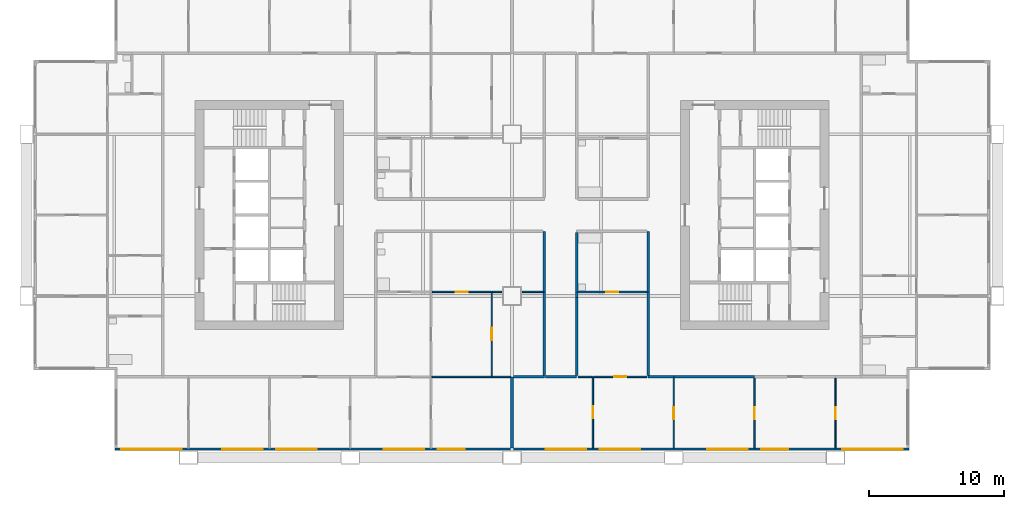
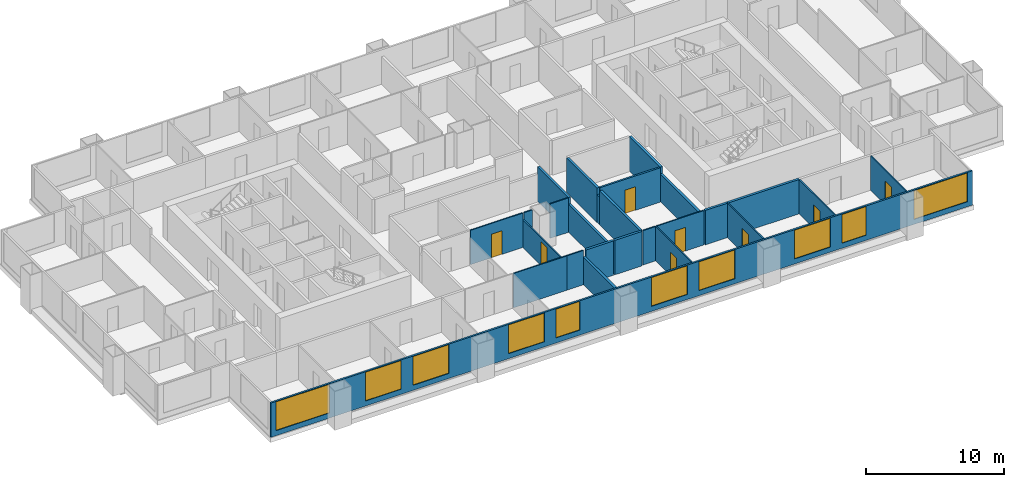
# One storey, part 5 of 11: 26 walls, 10 windows, 8 doors, 18 openings.
"""IFC4 building model written with IfcOpenShell, lengths in metres."""

from ifc_helpers import new_model, si_unit, direction, frame, frame_2d, origin, place, context, subcontext, project, spatial, rectangle, extrude, material, layer, layer_set, type_object, element, fill, save


model = new_model("IFC4")

# Units and contexts
model_context = context("Model", 3, precision=1e-05, world=origin(), true_north=direction((0.0, 1.0)))
body_context = subcontext(model_context, "Body", "Model", "MODEL_VIEW")
ifc_project = project(units=[si_unit("LENGTHUNIT", "METRE"), si_unit("AREAUNIT", "SQUARE_METRE"), si_unit("VOLUMEUNIT", "CUBIC_METRE"), si_unit("PLANEANGLEUNIT", "RADIAN"), si_unit("MASSUNIT", "GRAM", prefix="KILO")], contexts=[model_context])

# Site, building, storey
site_placement = place(None, origin())
site = spatial("IfcSite", under=ifc_project, at=site_placement, CompositionType="ELEMENT")
building_placement = place(site_placement, origin())
building = spatial("IfcBuilding", under=site, at=building_placement, Name="Kitamizu Gate Tower and Museum", CompositionType="ELEMENT")
storey_placement = place(building_placement, frame((0.0, 0.0, 127.64990234375)))
storey = spatial("IfcBuildingStorey", under=building, at=storey_placement, Name="L33", CompositionType="ELEMENT", Elevation=127.64990234375)

# Walls
ifc_material_1 = material(Name="Gypsum board on galvanised stud")
ifc_layer_1 = layer(ifc_material_1, 0.10009765625)
ifc_layer_set_1 = layer_set([ifc_layer_1], Name="Gypsum board on galvanised stud")
wall_type_1 = type_object("IfcWallType", Name="Partition 100 NOT RATED", PredefinedType="PARTITIONING", material=ifc_layer_set_1)
wall_1_placement = place(storey_placement, frame((34.5, 18.0, 0.0), z_axis=(0.0, 0.0, 1.0), x_axis=(-1.0, 0.0, 0.0)))
element("IfcWall", 1, at=wall_1_placement, inside=storey, type_object=wall_type_1, Name="Partition L33-011", PredefinedType="PARTITIONING", context=body_context, shape_type="SweptSolid", body=[
    extrude(rectangle(XDim=4.449951171875, YDim=0.10009765625, at=frame_2d((2.22509765625, 0.0))), origin(), (0.0, 0.0, 1.0), 3.050048828125),
])
wall_2_placement = place(storey_placement, frame((35.89990234375, 18.0, 0.0), z_axis=(0.0, 0.0, 1.0), x_axis=(-1.0, 0.0, 0.0)))
element("IfcWall", 2, at=wall_2_placement, inside=storey, type_object=wall_type_1, Name="Partition L33-012", PredefinedType="PARTITIONING", context=body_context, shape_type="SweptSolid", body=[
    extrude(rectangle(XDim=1.39990234375, YDim=0.10009765625, at=frame_2d((0.699951171875, 0.0))), origin(), (0.0, 0.0, 1.0), 3.050048828125),
])

# Wall, opening, door
wall_3_placement = place(storey_placement, frame((34.5, 18.050048828125, 0.0), z_axis=(0.0, 0.0, 1.0), x_axis=(0.0, 1.0, 0.0)))
wall_3 = element("IfcWall", 3, at=wall_3_placement, inside=storey, type_object=wall_type_1, Name="Partition L33-018", PredefinedType="PARTITIONING", context=body_context, shape_type="SweptSolid", body=[
    extrude(rectangle(XDim=6.25, YDim=0.10009765625, at=frame_2d((3.125, 0.0))), origin(), (0.0, 0.0, 1.0), 2.4501953125),
])
opening_1_placement = place(wall_3_placement, frame((2.675048828125, 0.0, 0.0)))
opening_1 = element("IfcOpeningElement", 4, at=opening_1_placement, cuts=wall_3, Name="Opening L33-009", PredefinedType="OPENING", context=body_context, shape_type="SweptSolid", body=[
    extrude(rectangle(XDim=0.89990234375, YDim=2.10009765625, at=frame_2d((0.449951171875, 1.050048828125))), frame((0.0, 0.06005859375, 0.0), z_axis=(0.0, -1.0, 0.0), x_axis=(1.0, 0.0, 0.0)), (0.0, 0.0, 1.0), 0.1201171875),
])
ifc_material_2 = material(Name="Timber door set", Category="wood")
door_type_1 = type_object("IfcDoorType", Name="Room door 900", OperationType="NOTDEFINED", PredefinedType="DOOR", material=ifc_material_2)
door_1_placement = place(opening_1_placement, frame((0.89990234375, 0.0, 0.0), x_axis=(-1.0, 0.0, 0.0)))
door_1 = element("IfcDoor", 5, at=door_1_placement, inside=storey, type_object=door_type_1, Name="Door L33-009", OperationType="SINGLE_SWING_LEFT", OverallHeight=2.10009765625, OverallWidth=0.89990234375, PredefinedType="DOOR", context=body_context, shape_type="SweptSolid", body=[
    extrude(rectangle(XDim=0.89990234375, YDim=2.10009765625, at=frame_2d((0.449951171875, 1.050048828125))), frame((0.0, 0.02490234375, 0.0), z_axis=(0.0, -1.0, 0.0), x_axis=(1.0, 0.0, 0.0)), (0.0, 0.0, 1.0), 0.050048828125),
])
fill(opening_1, door_1)

wall_4_placement = place(storey_placement, frame((34.449951171875, 24.300048828125, 0.0), z_axis=(0.0, 0.0, 1.0), x_axis=(-1.0, 0.0, 0.0)))
wall_4 = element("IfcWall", 6, at=wall_4_placement, inside=storey, type_object=wall_type_1, Name="Partition L33-019", PredefinedType="PARTITIONING", context=body_context, shape_type="SweptSolid", body=[
    extrude(rectangle(XDim=4.375, YDim=0.10009765625, at=frame_2d((2.1875, 0.0))), origin(), (0.0, 0.0, 1.0), 3.050048828125),
])
opening_2_placement = place(wall_4_placement, frame((1.737548828125, 0.0, 0.0)))
opening_2 = element("IfcOpeningElement", 7, at=opening_2_placement, cuts=wall_4, Name="Opening L33-010", PredefinedType="OPENING", context=body_context, shape_type="SweptSolid", body=[
    extrude(rectangle(XDim=0.89990234375, YDim=2.10009765625, at=frame_2d((0.449951171875, 1.050048828125))), frame((0.0, 0.06005859375, 0.0), z_axis=(0.0, -1.0, 0.0), x_axis=(1.0, 0.0, 0.0)), (0.0, 0.0, 1.0), 0.1201171875),
])
door_2_placement = place(opening_2_placement, origin())
door_2 = element("IfcDoor", 8, at=door_2_placement, inside=storey, type_object=door_type_1, Name="Door L33-010", OperationType="SINGLE_SWING_LEFT", OverallHeight=2.10009765625, OverallWidth=0.89990234375, PredefinedType="DOOR", context=body_context, shape_type="SweptSolid", body=[
    extrude(rectangle(XDim=0.89990234375, YDim=2.10009765625, at=frame_2d((0.449951171875, 1.050048828125))), frame((0.0, 0.02490234375, 0.0), z_axis=(0.0, -1.0, 0.0), x_axis=(1.0, 0.0, 0.0)), (0.0, 0.0, 1.0), 0.050048828125),
])
fill(opening_2, door_2)

# Walls
wall_5_placement = place(storey_placement, frame((35.25, 24.300048828125, 0.0), z_axis=(0.0, 0.0, 1.0), x_axis=(-1.0, 0.0, 0.0)))
element("IfcWall", 9, at=wall_5_placement, inside=storey, type_object=wall_type_1, Name="Partition L33-020", PredefinedType="PARTITIONING", context=body_context, shape_type="SweptSolid", body=[
    extrude(rectangle(XDim=0.699951171875, YDim=0.10009765625, at=frame_2d((0.35009765625, 0.0))), origin(), (0.0, 0.0, 1.0), 3.050048828125),
])
wall_6_placement = place(storey_placement, frame((38.300048828125, 24.300048828125, 0.0), z_axis=(0.0, 0.0, 1.0), x_axis=(-1.0, 0.0, 0.0)))
element("IfcWall", 10, at=wall_6_placement, inside=storey, type_object=wall_type_1, Name="Partition L33-021", PredefinedType="PARTITIONING", context=body_context, shape_type="SweptSolid", body=[
    extrude(rectangle(XDim=1.550048828125, YDim=0.10009765625, at=frame_2d((0.77490234375, 0.0))), origin(), (0.0, 0.0, 1.0), 3.050048828125),
])

# Wall, opening, door
wall_7_placement = place(storey_placement, frame((42.0, 12.719970703125, 0.0), z_axis=(0.0, 0.0, 1.0), x_axis=(0.0, 1.0, 0.0)))
wall_7 = element("IfcWall", 11, at=wall_7_placement, inside=storey, type_object=wall_type_1, Name="Partition L33-030", PredefinedType="PARTITIONING", context=body_context, shape_type="SweptSolid", body=[
    extrude(rectangle(XDim=5.280029296875, YDim=0.10009765625, at=frame_2d((2.64013671875, 0.0))), origin(), (0.0, 0.0, 1.0), 3.050048828125),
])
opening_3_placement = place(wall_7_placement, frame((2.18994140625, 0.0, 0.0)))
opening_3 = element("IfcOpeningElement", 12, at=opening_3_placement, cuts=wall_7, Name="Opening L33-017", PredefinedType="OPENING", context=body_context, shape_type="SweptSolid", body=[
    extrude(rectangle(XDim=0.89990234375, YDim=2.10009765625, at=frame_2d((0.449951171875, 1.050048828125))), frame((0.0, 0.06005859375, 0.0), z_axis=(0.0, -1.0, 0.0), x_axis=(1.0, 0.0, 0.0)), (0.0, 0.0, 1.0), 0.1201171875),
])
door_3_placement = place(opening_3_placement, origin())
door_3 = element("IfcDoor", 13, at=door_3_placement, inside=storey, type_object=door_type_1, Name="Door L33-017", OperationType="SINGLE_SWING_RIGHT", OverallHeight=2.10009765625, OverallWidth=0.89990234375, PredefinedType="DOOR", context=body_context, shape_type="SweptSolid", body=[
    extrude(rectangle(XDim=0.89990234375, YDim=2.10009765625, at=frame_2d((0.449951171875, 1.050048828125))), frame((0.0, 0.02490234375, 0.0), z_axis=(0.0, -1.0, 0.0), x_axis=(1.0, 0.0, 0.0)), (0.0, 0.0, 1.0), 0.050048828125),
])
fill(opening_3, door_3)

# Wall
wall_8_placement = place(storey_placement, frame((41.949951171875, 18.0, 0.0), z_axis=(0.0, 0.0, 1.0), x_axis=(-1.0, 0.0, 0.0)))
element("IfcWall", 14, at=wall_8_placement, inside=storey, type_object=wall_type_1, Name="Partition L33-031", PredefinedType="PARTITIONING", context=body_context, shape_type="SweptSolid", body=[
    extrude(rectangle(XDim=1.050048828125, YDim=0.10009765625, at=frame_2d((0.52490234375, 0.0))), origin(), (0.0, 0.0, 1.0), 3.050048828125),
])

# Wall, opening, door
wall_9_placement = place(storey_placement, frame((48.0, 12.719970703125, 0.0), z_axis=(0.0, 0.0, 1.0), x_axis=(0.0, 1.0, 0.0)))
wall_9 = element("IfcWall", 15, at=wall_9_placement, inside=storey, type_object=wall_type_1, Name="Partition L33-033", PredefinedType="PARTITIONING", context=body_context, shape_type="SweptSolid", body=[
    extrude(rectangle(XDim=5.179931640625, YDim=0.10009765625, at=frame_2d((2.58984375, 0.0))), origin(), (0.0, 0.0, 1.0), 3.050048828125),
])
opening_4_placement = place(wall_9_placement, frame((2.139892578125, 0.0, 0.0)))
opening_4 = element("IfcOpeningElement", 16, at=opening_4_placement, cuts=wall_9, Name="Opening L33-014", PredefinedType="OPENING", context=body_context, shape_type="SweptSolid", body=[
    extrude(rectangle(XDim=0.89990234375, YDim=2.10009765625, at=frame_2d((0.449951171875, 1.050048828125))), frame((0.0, 0.06005859375, 0.0), z_axis=(0.0, -1.0, 0.0), x_axis=(1.0, 0.0, 0.0)), (0.0, 0.0, 1.0), 0.1201171875),
])
door_4_placement = place(opening_4_placement, origin())
door_4 = element("IfcDoor", 17, at=door_4_placement, inside=storey, type_object=door_type_1, Name="Door L33-014", OperationType="SINGLE_SWING_LEFT", OverallHeight=2.10009765625, OverallWidth=0.89990234375, PredefinedType="DOOR", context=body_context, shape_type="SweptSolid", body=[
    extrude(rectangle(XDim=0.89990234375, YDim=2.10009765625, at=frame_2d((0.449951171875, 1.050048828125))), frame((0.0, 0.02490234375, 0.0), z_axis=(0.0, -1.0, 0.0), x_axis=(1.0, 0.0, 0.0)), (0.0, 0.0, 1.0), 0.050048828125),
])
fill(opening_4, door_4)

wall_10_placement = place(storey_placement, frame((46.0, 18.0, 0.0), z_axis=(0.0, 0.0, 1.0), x_axis=(-1.0, 0.0, 0.0)))
wall_10 = element("IfcWall", 18, at=wall_10_placement, inside=storey, type_object=wall_type_1, Name="Partition L33-034", PredefinedType="PARTITIONING", context=body_context, shape_type="SweptSolid", body=[
    extrude(rectangle(XDim=3.949951171875, YDim=0.10009765625, at=frame_2d((1.97509765625, 0.0))), origin(), (0.0, 0.0, 1.0), 3.050048828125),
])
opening_5_placement = place(wall_10_placement, frame((1.52490234375, 0.0, 0.0)))
opening_5 = element("IfcOpeningElement", 19, at=opening_5_placement, cuts=wall_10, Name="Opening L33-015", PredefinedType="OPENING", context=body_context, shape_type="SweptSolid", body=[
    extrude(rectangle(XDim=0.89990234375, YDim=2.10009765625, at=frame_2d((0.449951171875, 1.050048828125))), frame((0.0, 0.06005859375, 0.0), z_axis=(0.0, -1.0, 0.0), x_axis=(1.0, 0.0, 0.0)), (0.0, 0.0, 1.0), 0.1201171875),
])
door_5_placement = place(opening_5_placement, origin())
door_5 = element("IfcDoor", 20, at=door_5_placement, inside=storey, type_object=door_type_1, Name="Door L33-015", OperationType="SINGLE_SWING_RIGHT", OverallHeight=2.10009765625, OverallWidth=0.89990234375, PredefinedType="DOOR", context=body_context, shape_type="SweptSolid", body=[
    extrude(rectangle(XDim=0.89990234375, YDim=2.10009765625, at=frame_2d((0.449951171875, 1.050048828125))), frame((0.0, 0.02490234375, 0.0), z_axis=(0.0, -1.0, 0.0), x_axis=(1.0, 0.0, 0.0)), (0.0, 0.0, 1.0), 0.050048828125),
])
fill(opening_5, door_5)

wall_11_placement = place(storey_placement, frame((54.0, 12.719970703125, 0.0), z_axis=(0.0, 0.0, 1.0), x_axis=(0.0, 1.0, 0.0)))
wall_11 = element("IfcWall", 21, at=wall_11_placement, inside=storey, type_object=wall_type_1, Name="Partition L33-036", PredefinedType="PARTITIONING", context=body_context, shape_type="SweptSolid", body=[
    extrude(rectangle(XDim=5.179931640625, YDim=0.10009765625, at=frame_2d((2.58984375, 0.0))), origin(), (0.0, 0.0, 1.0), 3.050048828125),
])
opening_6_placement = place(wall_11_placement, frame((2.139892578125, 0.0, 0.0)))
opening_6 = element("IfcOpeningElement", 22, at=opening_6_placement, cuts=wall_11, Name="Opening L33-012", PredefinedType="OPENING", context=body_context, shape_type="SweptSolid", body=[
    extrude(rectangle(XDim=0.89990234375, YDim=2.10009765625, at=frame_2d((0.449951171875, 1.050048828125))), frame((0.0, 0.06005859375, 0.0), z_axis=(0.0, -1.0, 0.0), x_axis=(1.0, 0.0, 0.0)), (0.0, 0.0, 1.0), 0.1201171875),
])
door_6_placement = place(opening_6_placement, origin())
door_6 = element("IfcDoor", 23, at=door_6_placement, inside=storey, type_object=door_type_1, Name="Door L33-012", OperationType="SINGLE_SWING_LEFT", OverallHeight=2.10009765625, OverallWidth=0.89990234375, PredefinedType="DOOR", context=body_context, shape_type="SweptSolid", body=[
    extrude(rectangle(XDim=0.89990234375, YDim=2.10009765625, at=frame_2d((0.449951171875, 1.050048828125))), frame((0.0, 0.02490234375, 0.0), z_axis=(0.0, -1.0, 0.0), x_axis=(1.0, 0.0, 0.0)), (0.0, 0.0, 1.0), 0.050048828125),
])
fill(opening_6, door_6)

wall_12_placement = place(storey_placement, frame((60.0, 12.719970703125, 0.0), z_axis=(0.0, 0.0, 1.0), x_axis=(0.0, 1.0, 0.0)))
wall_12 = element("IfcWall", 24, at=wall_12_placement, inside=storey, type_object=wall_type_1, Name="Partition L33-038", PredefinedType="PARTITIONING", context=body_context, shape_type="SweptSolid", body=[
    extrude(rectangle(XDim=5.179931640625, YDim=0.10009765625, at=frame_2d((2.58984375, 0.0))), origin(), (0.0, 0.0, 1.0), 3.050048828125),
])
opening_7_placement = place(wall_12_placement, frame((2.139892578125, 0.0, 0.0)))
opening_7 = element("IfcOpeningElement", 25, at=opening_7_placement, cuts=wall_12, Name="Opening L33-013", PredefinedType="OPENING", context=body_context, shape_type="SweptSolid", body=[
    extrude(rectangle(XDim=0.89990234375, YDim=2.10009765625, at=frame_2d((0.449951171875, 1.050048828125))), frame((0.0, 0.06005859375, 0.0), z_axis=(0.0, -1.0, 0.0), x_axis=(1.0, 0.0, 0.0)), (0.0, 0.0, 1.0), 0.1201171875),
])
door_7_placement = place(opening_7_placement, frame((0.89990234375, 0.0, 0.0), x_axis=(-1.0, 0.0, 0.0)))
door_7 = element("IfcDoor", 26, at=door_7_placement, inside=storey, type_object=door_type_1, Name="Door L33-013", OperationType="SINGLE_SWING_LEFT", OverallHeight=2.10009765625, OverallWidth=0.89990234375, PredefinedType="DOOR", context=body_context, shape_type="SweptSolid", body=[
    extrude(rectangle(XDim=0.89990234375, YDim=2.10009765625, at=frame_2d((0.449951171875, 1.050048828125))), frame((0.0, 0.02490234375, 0.0), z_axis=(0.0, -1.0, 0.0), x_axis=(1.0, 0.0, 0.0)), (0.0, 0.0, 1.0), 0.050048828125),
])
fill(opening_7, door_7)

ifc_material_3 = material(Name="Gypsum board on galvanised stud")
ifc_layer_2 = layer(ifc_material_3, 0.14990234375)
ifc_layer_set_2 = layer_set([ifc_layer_2], Name="Gypsum board on galvanised stud")
wall_type_2 = type_object("IfcWallType", Name="Partition 150", PredefinedType="PARTITIONING", material=ifc_layer_set_2)
wall_13_placement = place(storey_placement, frame((46.0, 24.300048828125, 0.0), z_axis=(0.0, 0.0, 1.0), x_axis=(-1.0, 0.0, 0.0)))
wall_13 = element("IfcWall", 27, at=wall_13_placement, inside=storey, type_object=wall_type_2, Name="Partition L33-042", PredefinedType="PARTITIONING", context=body_context, shape_type="SweptSolid", body=[
    extrude(rectangle(XDim=5.10009765625, YDim=0.14990234375, at=frame_2d((2.550048828125, 0.0))), origin(), (0.0, 0.0, 1.0), 3.050048828125),
])
opening_8_placement = place(wall_13_placement, frame((2.10009765625, 0.0, 0.0)))
opening_8 = element("IfcOpeningElement", 28, at=opening_8_placement, cuts=wall_13, Name="Opening L33-016", PredefinedType="OPENING", context=body_context, shape_type="SweptSolid", body=[
    extrude(rectangle(XDim=0.89990234375, YDim=2.10009765625, at=frame_2d((0.449951171875, 1.050048828125))), frame((0.0, 0.0849609375, 0.0), z_axis=(0.0, -1.0, 0.0), x_axis=(1.0, 0.0, 0.0)), (0.0, 0.0, 1.0), 0.169921875),
])
ifc_material_4 = material(Name="Timber door set", Category="wood")
door_type_2 = type_object("IfcDoorType", Name="Bathroom door 900", OperationType="NOTDEFINED", PredefinedType="DOOR", material=ifc_material_4)
door_8_placement = place(opening_8_placement, frame((0.89990234375, 0.0, 0.0), x_axis=(-1.0, 0.0, 0.0)))
door_8 = element("IfcDoor", 29, at=door_8_placement, inside=storey, type_object=door_type_2, Name="Bathroom door L33-016", OperationType="SINGLE_SWING_RIGHT", OverallHeight=2.10009765625, OverallWidth=0.89990234375, PredefinedType="DOOR", context=body_context, shape_type="SweptSolid", body=[
    extrude(rectangle(XDim=0.89990234375, YDim=2.10009765625, at=frame_2d((0.449951171875, 1.050048828125))), frame((0.0, 0.02490234375, 0.0), z_axis=(0.0, -1.0, 0.0), x_axis=(1.0, 0.0, 0.0)), (0.0, 0.0, 1.0), 0.050048828125),
])
fill(opening_8, door_8)

# Walls
ifc_material_5 = material(Name="Gypsum board on galvanised stud")
ifc_layer_3 = layer(ifc_material_5, 0.199951171875)
ifc_layer_set_3 = layer_set([ifc_layer_3], Name="Gypsum board on galvanised stud")
wall_type_3 = type_object("IfcWallType", Name="Partition 200", PredefinedType="PARTITIONING", material=ifc_layer_set_3)
wall_14_placement = place(storey_placement, frame((36.0, 12.719970703125, 0.0), z_axis=(0.0, 0.0, 1.0), x_axis=(0.0, 1.0, 0.0)))
element("IfcWall", 30, at=wall_14_placement, inside=storey, type_object=wall_type_3, Name="Partition L33-013", PredefinedType="PARTITIONING", context=body_context, shape_type="SweptSolid", body=[
    extrude(rectangle(XDim=5.280029296875, YDim=0.199951171875, at=frame_2d((2.64013671875, 0.0))), origin(), (0.0, 0.0, 1.0), 2.4501953125),
])
wall_15_placement = place(storey_placement, frame((36.10009765625, 18.0, 0.0), z_axis=(0.0, 0.0, 1.0), x_axis=(1.0, 0.0, 0.0)))
element("IfcWall", 31, at=wall_15_placement, inside=storey, type_object=wall_type_3, Name="Partition L33-022", PredefinedType="PARTITIONING", context=body_context, shape_type="SweptSolid", body=[
    extrude(rectangle(XDim=2.2998046875, YDim=0.199951171875, at=frame_2d((1.14990234375, 0.0))), origin(), (0.0, 0.0, 1.0), 3.050048828125),
])
wall_16_placement = place(storey_placement, frame((38.39990234375, 18.10009765625, 0.0), z_axis=(0.0, 0.0, 1.0), x_axis=(0.0, 1.0, 0.0)))
element("IfcWall", 32, at=wall_16_placement, inside=storey, type_object=wall_type_3, Name="Partition L33-023", PredefinedType="PARTITIONING", context=body_context, shape_type="SweptSolid", body=[
    extrude(rectangle(XDim=6.199951171875, YDim=0.199951171875, at=frame_2d((3.10009765625, 0.0))), origin(), (0.0, 0.0, 1.0), 2.4501953125),
])
wall_17_placement = place(storey_placement, frame((38.39990234375, 24.300048828125, 0.0), z_axis=(0.0, 0.0, 1.0), x_axis=(0.0, 1.0, 0.0)))
element("IfcWall", 33, at=wall_17_placement, inside=storey, type_object=wall_type_3, Name="Partition L33-027", PredefinedType="PARTITIONING", context=body_context, shape_type="SweptSolid", body=[
    extrude(rectangle(XDim=4.5, YDim=0.199951171875, at=frame_2d((2.25, 0.0))), origin(), (0.0, 0.0, 1.0), 3.050048828125),
])
wall_18_placement = place(storey_placement, frame((40.800048828125, 18.0, 0.0), z_axis=(0.0, 0.0, 1.0), x_axis=(-1.0, 0.0, 0.0)))
element("IfcWall", 34, at=wall_18_placement, inside=storey, type_object=wall_type_3, Name="Partition L33-032", PredefinedType="PARTITIONING", context=body_context, shape_type="SweptSolid", body=[
    extrude(rectangle(XDim=2.300048828125, YDim=0.199951171875, at=frame_2d((1.14990234375, 0.0))), origin(), (0.0, 0.0, 1.0), 3.050048828125),
])
wall_19_placement = place(storey_placement, frame((48.0, 18.0, 0.0), z_axis=(0.0, 0.0, 1.0), x_axis=(-1.0, 0.0, 0.0)))
element("IfcWall", 35, at=wall_19_placement, inside=storey, type_object=wall_type_3, Name="Partition L33-035", PredefinedType="PARTITIONING", context=body_context, shape_type="SweptSolid", body=[
    extrude(rectangle(XDim=1.89990234375, YDim=0.199951171875, at=frame_2d((0.949951171875, 0.0))), origin(), (0.0, 0.0, 1.0), 3.050048828125),
])
wall_20_placement = place(storey_placement, frame((54.0, 18.0, 0.0), z_axis=(0.0, 0.0, 1.0), x_axis=(-1.0, 0.0, 0.0)))
element("IfcWall", 36, at=wall_20_placement, inside=storey, type_object=wall_type_3, Name="Partition L33-037", PredefinedType="PARTITIONING", context=body_context, shape_type="SweptSolid", body=[
    extrude(rectangle(XDim=6.0, YDim=0.199951171875, at=frame_2d((3.0, 0.0))), origin(), (0.0, 0.0, 1.0), 3.050048828125),
])
wall_21_placement = place(storey_placement, frame((40.800048828125, 24.300048828125, 0.0), z_axis=(0.0, 0.0, 1.0), x_axis=(0.0, -1.0, 0.0)))
element("IfcWall", 37, at=wall_21_placement, inside=storey, type_object=wall_type_3, Name="Partition L33-043", PredefinedType="PARTITIONING", context=body_context, shape_type="SweptSolid", body=[
    extrude(rectangle(XDim=0.400146484375, YDim=0.199951171875, at=frame_2d((0.2001953125, 0.0))), origin(), (0.0, 0.0, 1.0), 2.4501953125),
])
wall_22_placement = place(storey_placement, frame((40.800048828125, 23.89990234375, 0.0), z_axis=(0.0, 0.0, 1.0), x_axis=(0.0, -1.0, 0.0)))
element("IfcWall", 38, at=wall_22_placement, inside=storey, type_object=wall_type_3, Name="Partition L33-044", PredefinedType="PARTITIONING", context=body_context, shape_type="SweptSolid", body=[
    extrude(rectangle(XDim=5.7998046875, YDim=0.199951171875, at=frame_2d((2.89990234375, 0.0))), origin(), (0.0, 0.0, 1.0), 3.050048828125),
])
wall_23_placement = place(storey_placement, frame((46.10009765625, 18.10009765625, 0.0), z_axis=(0.0, 0.0, 1.0), x_axis=(0.0, 1.0, 0.0)))
element("IfcWall", 39, at=wall_23_placement, inside=storey, type_object=wall_type_3, Name="Partition L33-045", PredefinedType="PARTITIONING", context=body_context, shape_type="SweptSolid", body=[
    extrude(rectangle(XDim=6.199951171875, YDim=0.199951171875, at=frame_2d((3.10009765625, 0.0))), origin(), (0.0, 0.0, 1.0), 2.4501953125),
])
wall_24_placement = place(storey_placement, frame((46.10009765625, 24.300048828125, 0.0), z_axis=(0.0, 0.0, 1.0), x_axis=(0.0, 1.0, 0.0)))
element("IfcWall", 40, at=wall_24_placement, inside=storey, type_object=wall_type_3, Name="Partition L33-046", PredefinedType="PARTITIONING", context=body_context, shape_type="SweptSolid", body=[
    extrude(rectangle(XDim=4.5, YDim=0.199951171875, at=frame_2d((2.25, 0.0))), origin(), (0.0, 0.0, 1.0), 3.050048828125),
])
wall_25_placement = place(storey_placement, frame((40.800048828125, 28.699951171875, 0.0), z_axis=(0.0, 0.0, 1.0), x_axis=(0.0, -1.0, 0.0)))
element("IfcWall", 41, at=wall_25_placement, inside=storey, type_object=wall_type_3, Name="Partition L33-048", PredefinedType="PARTITIONING", context=body_context, shape_type="SweptSolid", body=[
    extrude(rectangle(XDim=4.39990234375, YDim=0.199951171875, at=frame_2d((2.199951171875, 0.0))), origin(), (0.0, 0.0, 1.0), 3.050048828125),
])

# Wall, openings, windows
ifc_material_6 = material(Name="Bronze anodised aluminium frame with insulated spandrel and tinted glass", Category="aluminium")
ifc_layer_4 = layer(ifc_material_6, 0.14990234375)
ifc_layer_set_4 = layer_set([ifc_layer_4], Name="Bronze anodised aluminium frame with insulated spandrel and tinted glass")
wall_type_4 = type_object("IfcWallType", Name="WINDOW WALL 150 BRONZE FRAME EI 30", PredefinedType="ELEMENTEDWALL", material=ifc_layer_set_4)
wall_26_placement = place(storey_placement, frame((6.56005859375, 12.635009765625, 0.0), z_axis=(0.0, 0.0, 1.0), x_axis=(1.0, 0.0, 0.0)))
wall_26 = element("IfcWall", 42, at=wall_26_placement, inside=storey, type_object=wall_type_4, Name="Window wall south L33", PredefinedType="ELEMENTEDWALL", context=body_context, shape_type="SweptSolid", body=[
    extrude(rectangle(XDim=58.8798828125, YDim=0.14990234375, at=frame_2d((29.43994140625, 0.0))), origin(), (0.0, 0.0, 1.0), 3.050048828125),
])
opening_9_placement = place(wall_26_placement, frame((0.43994140625, 0.0, 0.449951171875)))
opening_9 = element("IfcOpeningElement", 43, at=opening_9_placement, cuts=wall_26, Name="Opening W15", PredefinedType="OPENING", context=body_context, shape_type="SweptSolid", body=[
    extrude(rectangle(XDim=4.5, YDim=2.550048828125, at=frame_2d((2.25, 1.27490234375))), frame((0.0, 0.0849609375, 0.0), z_axis=(0.0, -1.0, 0.0), x_axis=(1.0, 0.0, 0.0)), (0.0, 0.0, 1.0), 0.169921875),
])
opening_10_placement = place(wall_26_placement, frame((7.93994140625, 0.0, 0.449951171875)))
opening_10 = element("IfcOpeningElement", 44, at=opening_10_placement, cuts=wall_26, Name="Opening W33", PredefinedType="OPENING", context=body_context, shape_type="SweptSolid", body=[
    extrude(rectangle(XDim=3.0, YDim=2.550048828125, at=frame_2d((1.5, 1.27490234375))), frame((0.0, 0.0849609375, 0.0), z_axis=(0.0, -1.0, 0.0), x_axis=(1.0, 0.0, 0.0)), (0.0, 0.0, 1.0), 0.169921875),
])
opening_11_placement = place(wall_26_placement, frame((11.93994140625, 0.0, 0.449951171875)))
opening_11 = element("IfcOpeningElement", 45, at=opening_11_placement, cuts=wall_26, Name="Opening W33", PredefinedType="OPENING", context=body_context, shape_type="SweptSolid", body=[
    extrude(rectangle(XDim=3.0, YDim=2.550048828125, at=frame_2d((1.5, 1.27490234375))), frame((0.0, 0.0849609375, 0.0), z_axis=(0.0, -1.0, 0.0), x_axis=(1.0, 0.0, 0.0)), (0.0, 0.0, 1.0), 0.169921875),
])
opening_12_placement = place(wall_26_placement, frame((19.93994140625, 0.0, 0.449951171875)))
opening_12 = element("IfcOpeningElement", 46, at=opening_12_placement, cuts=wall_26, Name="Opening W33", PredefinedType="OPENING", context=body_context, shape_type="SweptSolid", body=[
    extrude(rectangle(XDim=3.0, YDim=2.550048828125, at=frame_2d((1.5, 1.27490234375))), frame((0.0, 0.0849609375, 0.0), z_axis=(0.0, -1.0, 0.0), x_axis=(1.0, 0.0, 0.0)), (0.0, 0.0, 1.0), 0.169921875),
])
opening_13_placement = place(wall_26_placement, frame((23.93994140625, 0.0, 0.449951171875)))
opening_13 = element("IfcOpeningElement", 47, at=opening_13_placement, cuts=wall_26, Name="Opening W2", PredefinedType="OPENING", context=body_context, shape_type="SweptSolid", body=[
    extrude(rectangle(XDim=2.0, YDim=2.550048828125, at=frame_2d((1.0, 1.27490234375))), frame((0.0, 0.0849609375, 0.0), z_axis=(0.0, -1.0, 0.0), x_axis=(1.0, 0.0, 0.0)), (0.0, 0.0, 1.0), 0.169921875),
])
opening_14_placement = place(wall_26_placement, frame((31.93994140625, 0.0, 0.449951171875)))
opening_14 = element("IfcOpeningElement", 48, at=opening_14_placement, cuts=wall_26, Name="Opening W33", PredefinedType="OPENING", context=body_context, shape_type="SweptSolid", body=[
    extrude(rectangle(XDim=3.0, YDim=2.550048828125, at=frame_2d((1.5, 1.27490234375))), frame((0.0, 0.0849609375, 0.0), z_axis=(0.0, -1.0, 0.0), x_axis=(1.0, 0.0, 0.0)), (0.0, 0.0, 1.0), 0.169921875),
])
opening_15_placement = place(wall_26_placement, frame((35.93994140625, 0.0, 0.449951171875)))
opening_15 = element("IfcOpeningElement", 49, at=opening_15_placement, cuts=wall_26, Name="Opening W33", PredefinedType="OPENING", context=body_context, shape_type="SweptSolid", body=[
    extrude(rectangle(XDim=3.0, YDim=2.550048828125, at=frame_2d((1.5, 1.27490234375))), frame((0.0, 0.0849609375, 0.0), z_axis=(0.0, -1.0, 0.0), x_axis=(1.0, 0.0, 0.0)), (0.0, 0.0, 1.0), 0.169921875),
])
opening_16_placement = place(wall_26_placement, frame((43.93994140625, 0.0, 0.449951171875)))
opening_16 = element("IfcOpeningElement", 50, at=opening_16_placement, cuts=wall_26, Name="Opening W33", PredefinedType="OPENING", context=body_context, shape_type="SweptSolid", body=[
    extrude(rectangle(XDim=3.0, YDim=2.550048828125, at=frame_2d((1.5, 1.27490234375))), frame((0.0, 0.0849609375, 0.0), z_axis=(0.0, -1.0, 0.0), x_axis=(1.0, 0.0, 0.0)), (0.0, 0.0, 1.0), 0.169921875),
])
opening_17_placement = place(wall_26_placement, frame((47.93994140625, 0.0, 0.449951171875)))
opening_17 = element("IfcOpeningElement", 51, at=opening_17_placement, cuts=wall_26, Name="Opening W2", PredefinedType="OPENING", context=body_context, shape_type="SweptSolid", body=[
    extrude(rectangle(XDim=2.0, YDim=2.550048828125, at=frame_2d((1.0, 1.27490234375))), frame((0.0, 0.0849609375, 0.0), z_axis=(0.0, -1.0, 0.0), x_axis=(1.0, 0.0, 0.0)), (0.0, 0.0, 1.0), 0.169921875),
])
opening_18_placement = place(wall_26_placement, frame((53.93994140625, 0.0, 0.449951171875)))
opening_18 = element("IfcOpeningElement", 52, at=opening_18_placement, cuts=wall_26, Name="Opening W15", PredefinedType="OPENING", context=body_context, shape_type="SweptSolid", body=[
    extrude(rectangle(XDim=4.5, YDim=2.550048828125, at=frame_2d((2.25, 1.27490234375))), frame((0.0, 0.0849609375, 0.0), z_axis=(0.0, -1.0, 0.0), x_axis=(1.0, 0.0, 0.0)), (0.0, 0.0, 1.0), 0.169921875),
])
ifc_material_7 = material(Name="Bronze anodised aluminium frame, tinted triple glazing", Category="aluminium")
window_type_1 = type_object("IfcWindowType", Name="WINDOW 2000 x 2550 SILL 450", PartitioningType="SINGLE_PANEL", PredefinedType="WINDOW", material=ifc_material_7)
window_1_placement = place(opening_13_placement, origin())
window_1 = element("IfcWindow", 53, at=window_1_placement, inside=storey, type_object=window_type_1, Name="Window W2 L33", OverallHeight=2.550048828125, OverallWidth=2.0, PartitioningType="SINGLE_PANEL", PredefinedType="WINDOW", context=body_context, shape_type="SweptSolid", body=[
    extrude(rectangle(XDim=2.0, YDim=2.550048828125, at=frame_2d((1.0, 1.27490234375))), frame((0.0, 0.030029296875, 0.0), z_axis=(0.0, -1.0, 0.0), x_axis=(1.0, 0.0, 0.0)), (0.0, 0.0, 1.0), 0.06005859375),
])
fill(opening_13, window_1)
window_2_placement = place(opening_17_placement, origin())
window_2 = element("IfcWindow", 54, at=window_2_placement, inside=storey, type_object=window_type_1, Name="Window W2 L33", OverallHeight=2.550048828125, OverallWidth=2.0, PartitioningType="SINGLE_PANEL", PredefinedType="WINDOW", context=body_context, shape_type="SweptSolid", body=[
    extrude(rectangle(XDim=2.0, YDim=2.550048828125, at=frame_2d((1.0, 1.27490234375))), frame((0.0, 0.030029296875, 0.0), z_axis=(0.0, -1.0, 0.0), x_axis=(1.0, 0.0, 0.0)), (0.0, 0.0, 1.0), 0.06005859375),
])
fill(opening_17, window_2)
ifc_material_8 = material(Name="Bronze anodised aluminium frame, tinted triple glazing", Category="aluminium")
window_type_2 = type_object("IfcWindowType", Name="WINDOW 3000 x 2550 SILL 450", PartitioningType="SINGLE_PANEL", PredefinedType="WINDOW", material=ifc_material_8)
window_3_placement = place(opening_10_placement, origin())
window_3 = element("IfcWindow", 55, at=window_3_placement, inside=storey, type_object=window_type_2, Name="Window W33 L33", OverallHeight=2.550048828125, OverallWidth=3.0, PartitioningType="SINGLE_PANEL", PredefinedType="WINDOW", context=body_context, shape_type="SweptSolid", body=[
    extrude(rectangle(XDim=3.0, YDim=2.550048828125, at=frame_2d((1.5, 1.27490234375))), frame((0.0, 0.030029296875, 0.0), z_axis=(0.0, -1.0, 0.0), x_axis=(1.0, 0.0, 0.0)), (0.0, 0.0, 1.0), 0.06005859375),
])
fill(opening_10, window_3)
window_4_placement = place(opening_11_placement, origin())
window_4 = element("IfcWindow", 56, at=window_4_placement, inside=storey, type_object=window_type_2, Name="Window W33 L33", OverallHeight=2.550048828125, OverallWidth=3.0, PartitioningType="SINGLE_PANEL", PredefinedType="WINDOW", context=body_context, shape_type="SweptSolid", body=[
    extrude(rectangle(XDim=3.0, YDim=2.550048828125, at=frame_2d((1.5, 1.27490234375))), frame((0.0, 0.030029296875, 0.0), z_axis=(0.0, -1.0, 0.0), x_axis=(1.0, 0.0, 0.0)), (0.0, 0.0, 1.0), 0.06005859375),
])
fill(opening_11, window_4)
window_5_placement = place(opening_12_placement, origin())
window_5 = element("IfcWindow", 57, at=window_5_placement, inside=storey, type_object=window_type_2, Name="Window W33 L33", OverallHeight=2.550048828125, OverallWidth=3.0, PartitioningType="SINGLE_PANEL", PredefinedType="WINDOW", context=body_context, shape_type="SweptSolid", body=[
    extrude(rectangle(XDim=3.0, YDim=2.550048828125, at=frame_2d((1.5, 1.27490234375))), frame((0.0, 0.030029296875, 0.0), z_axis=(0.0, -1.0, 0.0), x_axis=(1.0, 0.0, 0.0)), (0.0, 0.0, 1.0), 0.06005859375),
])
fill(opening_12, window_5)
window_6_placement = place(opening_14_placement, origin())
window_6 = element("IfcWindow", 58, at=window_6_placement, inside=storey, type_object=window_type_2, Name="Window W33 L33", OverallHeight=2.550048828125, OverallWidth=3.0, PartitioningType="SINGLE_PANEL", PredefinedType="WINDOW", context=body_context, shape_type="SweptSolid", body=[
    extrude(rectangle(XDim=3.0, YDim=2.550048828125, at=frame_2d((1.5, 1.27490234375))), frame((0.0, 0.030029296875, 0.0), z_axis=(0.0, -1.0, 0.0), x_axis=(1.0, 0.0, 0.0)), (0.0, 0.0, 1.0), 0.06005859375),
])
fill(opening_14, window_6)
window_7_placement = place(opening_15_placement, origin())
window_7 = element("IfcWindow", 59, at=window_7_placement, inside=storey, type_object=window_type_2, Name="Window W33 L33", OverallHeight=2.550048828125, OverallWidth=3.0, PartitioningType="SINGLE_PANEL", PredefinedType="WINDOW", context=body_context, shape_type="SweptSolid", body=[
    extrude(rectangle(XDim=3.0, YDim=2.550048828125, at=frame_2d((1.5, 1.27490234375))), frame((0.0, 0.030029296875, 0.0), z_axis=(0.0, -1.0, 0.0), x_axis=(1.0, 0.0, 0.0)), (0.0, 0.0, 1.0), 0.06005859375),
])
fill(opening_15, window_7)
window_8_placement = place(opening_16_placement, origin())
window_8 = element("IfcWindow", 60, at=window_8_placement, inside=storey, type_object=window_type_2, Name="Window W33 L33", OverallHeight=2.550048828125, OverallWidth=3.0, PartitioningType="SINGLE_PANEL", PredefinedType="WINDOW", context=body_context, shape_type="SweptSolid", body=[
    extrude(rectangle(XDim=3.0, YDim=2.550048828125, at=frame_2d((1.5, 1.27490234375))), frame((0.0, 0.030029296875, 0.0), z_axis=(0.0, -1.0, 0.0), x_axis=(1.0, 0.0, 0.0)), (0.0, 0.0, 1.0), 0.06005859375),
])
fill(opening_16, window_8)
ifc_material_9 = material(Name="Bronze anodised aluminium frame, tinted triple glazing", Category="aluminium")
window_type_3 = type_object("IfcWindowType", Name="WINDOW 4500 x 2550 SILL 450", PartitioningType="SINGLE_PANEL", PredefinedType="WINDOW", material=ifc_material_9)
window_9_placement = place(opening_9_placement, origin())
window_9 = element("IfcWindow", 61, at=window_9_placement, inside=storey, type_object=window_type_3, Name="Window W15 L33", OverallHeight=2.550048828125, OverallWidth=4.5, PartitioningType="SINGLE_PANEL", PredefinedType="WINDOW", context=body_context, shape_type="SweptSolid", body=[
    extrude(rectangle(XDim=4.5, YDim=2.550048828125, at=frame_2d((2.25, 1.27490234375))), frame((0.0, 0.030029296875, 0.0), z_axis=(0.0, -1.0, 0.0), x_axis=(1.0, 0.0, 0.0)), (0.0, 0.0, 1.0), 0.06005859375),
])
fill(opening_9, window_9)
window_10_placement = place(opening_18_placement, origin())
window_10 = element("IfcWindow", 62, at=window_10_placement, inside=storey, type_object=window_type_3, Name="Window W15 L33", OverallHeight=2.550048828125, OverallWidth=4.5, PartitioningType="SINGLE_PANEL", PredefinedType="WINDOW", context=body_context, shape_type="SweptSolid", body=[
    extrude(rectangle(XDim=4.5, YDim=2.550048828125, at=frame_2d((2.25, 1.27490234375))), frame((0.0, 0.030029296875, 0.0), z_axis=(0.0, -1.0, 0.0), x_axis=(1.0, 0.0, 0.0)), (0.0, 0.0, 1.0), 0.06005859375),
])
fill(opening_18, window_10)

save(model, "model.ifc")
